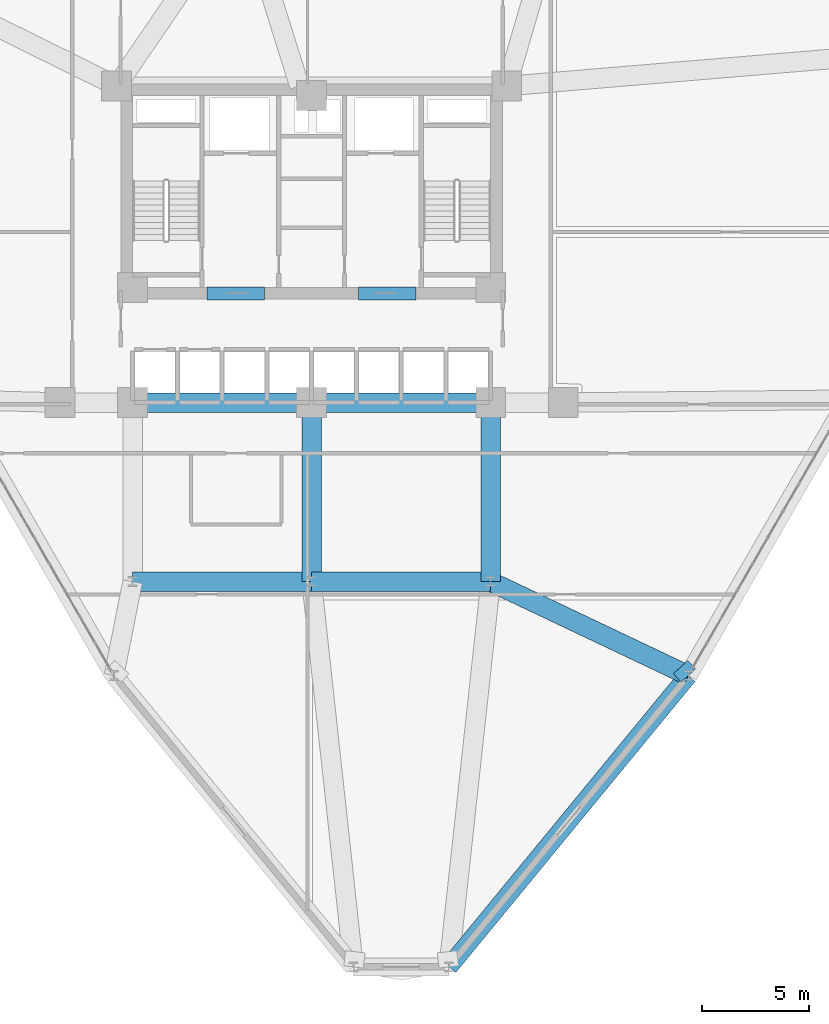
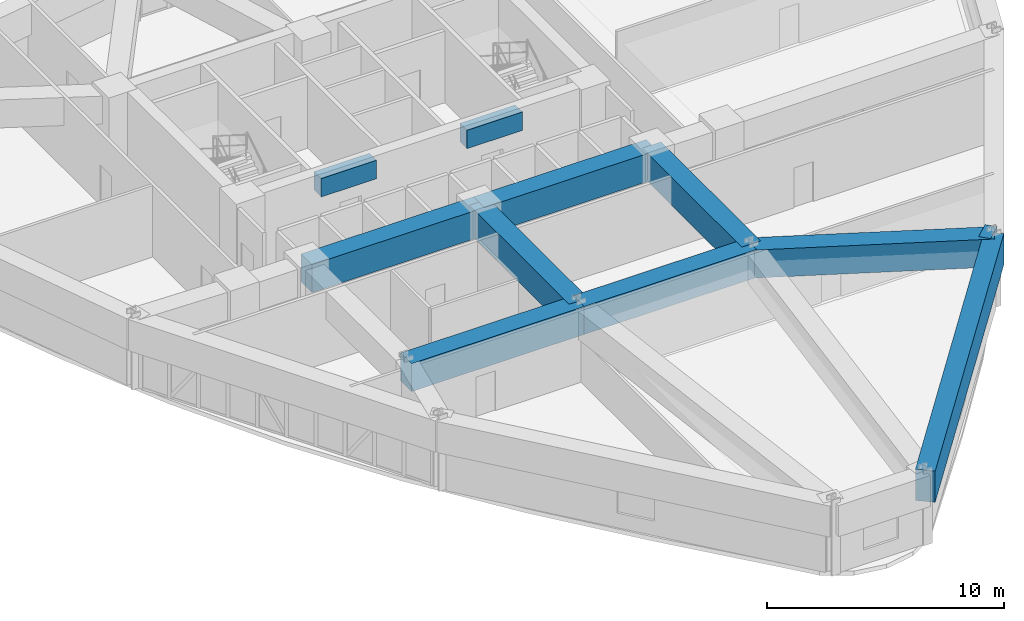
# One storey, part 5 of 17: 11 beams.
"""IFC4 building model written with IfcOpenShell, lengths in metres."""

from ifc_helpers import new_model, si_unit, derived_unit, direction, frame, origin, origin_2d, place, context, subcontext, project, spatial, rectangle, extrude, source, transform, mapped, material, material_profile, profile_set, type_object, element, save


model = new_model("IFC4")

# Units and contexts
model_context = context("Model", 3, precision=1e-05, world=origin(), true_north=direction((0.0, 1.0)))
body_context = subcontext(model_context, "Body", "Model", "MODEL_VIEW")
ifc_project = project(units=[si_unit("LENGTHUNIT", "METRE"), si_unit("AREAUNIT", "SQUARE_METRE"), si_unit("VOLUMEUNIT", "CUBIC_METRE"), si_unit("PLANEANGLEUNIT", "RADIAN"), si_unit("MASSUNIT", "GRAM", prefix="KILO"), derived_unit("THERMALTRANSMITTANCEUNIT", [(si_unit("POWERUNIT", "WATT"), 1), (si_unit("LENGTHUNIT", "METRE"), -2), (si_unit("THERMODYNAMICTEMPERATUREUNIT", "KELVIN"), -1)])], contexts=[model_context])

# Site, building, storey
site_placement = place(None, origin())
site = spatial("IfcSite", under=ifc_project, at=site_placement, CompositionType="ELEMENT")
building_placement = place(site_placement, origin())
building = spatial("IfcBuilding", under=site, at=building_placement, Name="Korsvarv Bourse and Concert Hall", CompositionType="ELEMENT")
storey_placement = place(building_placement, frame((0.0, 0.0, 83.39990234375)))
storey = spatial("IfcBuildingStorey", under=building, at=storey_placement, Name="L20", CompositionType="ELEMENT", Elevation=83.39990234375)

# Beams
ifc_material_1 = material(Name="Concrete C55/67", Category="concrete")
ifc_material_profile_1 = material_profile(ifc_material_1, rectangle(XDim=0.60009765625, YDim=0.949951171875, at=origin_2d()), Name="RC-BM 600x950")
ifc_profile_set_1 = profile_set([ifc_material_profile_1], Name="Concrete C55/67")
beam_type_1 = type_object("IfcBeamType", Name="BM-CPL", PredefinedType="LINTEL", material=ifc_profile_set_1)
shared_shape_1 = source(origin(), body_context, "Body", "SweptSolid", [
    extrude(rectangle(XDim=0.60009765625, YDim=0.949951171875, at=origin_2d()), origin(), (0.0, 0.0, 1.0), 2.699951171875),
])
for number, where, z_axis, x_axis, name in (
    (1, (31.10009765625, 37.52490234375, 3.205078125), (1.0, 0.0, 0.0), (0.0, 1.0, 0.0), "L20 Core Coupling Beam West"),
    (2, (38.199951171875, 37.52490234375, 3.205078125), (1.0, 0.0, 0.0), (0.0, 1.0, 0.0), "L20 Core Coupling Beam East"),
):
    element("IfcBeam", number, at=place(storey_placement, frame(where, z_axis=z_axis, x_axis=x_axis)), inside=storey, type_object=beam_type_1, Name=name, PredefinedType="LINTEL", context=body_context, shape_type="MappedRepresentation", body=[
        mapped(shared_shape_1, transform((0.0, 0.0, 0.0), scale=1.0)),
    ])
ifc_material_2 = material(Name="Concrete C50/60", Category="concrete")
ifc_material_profile_2 = material_profile(ifc_material_2, rectangle(XDim=0.919921875, YDim=1.43994140625, at=origin_2d()), Name="RC-BM 920x1440")
ifc_profile_set_2 = profile_set([ifc_material_profile_2], Name="Concrete C50/60")
beam_type_2 = type_object("IfcBeamType", Name="BM-TR-144", PredefinedType="BEAM", material=ifc_profile_set_2)
shared_shape_2 = source(origin(), body_context, "Body", "SweptSolid", [
    extrude(rectangle(XDim=0.919921875, YDim=1.43994140625, at=origin_2d()), origin(), (0.0, 0.0, 1.0), 8.39990234375),
])
for number, where, z_axis, x_axis, name in (
    (3, (27.60009765625, 32.39990234375, 2.960205078125), (1.0, 0.0, 0.0), (0.0, 1.0, 0.0), "L20 beam B-TR4"),
    (4, (36.0, 32.39990234375, 2.960205078125), (1.0, 0.0, 0.0), (0.0, 1.0, 0.0), "L20 beam B-TR4"),
    (5, (27.60009765625, 24.0, 2.960205078125), (1.0, 0.0, 0.0), (0.0, 1.0, 0.0), "L20 beam B-TR4"),
    (6, (36.0, 24.0, 2.960205078125), (1.0, 0.0, 0.0), (0.0, 1.0, 0.0), "L20 beam B-TR4"),
    (7, (36.0, 24.0, 2.960205078125), (0.0, 1.0, 0.0), (-1.0, 0.0, 0.0), "L20 beam B-TR4"),
    (8, (44.39990234375, 24.0, 2.960205078125), (0.0, 1.0, 0.0), (-1.0, 0.0, 0.0), "L20 beam B-TR4"),
):
    element("IfcBeam", number, at=place(storey_placement, frame(where, z_axis=z_axis, x_axis=x_axis)), inside=storey, type_object=beam_type_2, Name=name, PredefinedType="BEAM", context=body_context, shape_type="MappedRepresentation", body=[
        mapped(shared_shape_2, transform((0.0, 0.0, 0.0), scale=1.0)),
    ])
ifc_material_profile_3 = material_profile(ifc_material_1, rectangle(XDim=0.85009765625, YDim=1.60009765625, at=origin_2d()), Name="RC-BM 850x1600")
ifc_profile_set_3 = profile_set([ifc_material_profile_3], Name="Concrete C55/67")
beam_type_3 = type_object("IfcBeamType", Name="BM-TR1B", PredefinedType="BEAM", material=ifc_profile_set_3)
shared_shape_3 = source(origin(), body_context, "Body", "SweptSolid", [
    extrude(rectangle(XDim=0.85009765625, YDim=1.60009765625, at=origin_2d()), origin(), (0.0, 0.0, 1.0), 17.697998046875),
])
beam_1_placement = place(storey_placement, frame((42.43408203125, 5.92578125, 2.880126953125), z_axis=(0.634964737332, 0.772541120165, 0.0), x_axis=(-0.772541120165, 0.634964737332, 0.0)))
element("IfcBeam", 9, at=beam_1_placement, inside=storey, type_object=beam_type_3, Name="L20 beam B-TR2", PredefinedType="BEAM", context=body_context, shape_type="MappedRepresentation", body=[
    mapped(shared_shape_3, transform((0.0, 0.0, 0.0), scale=1.0)),
])
shared_shape_4 = source(origin(), body_context, "Body", "SweptSolid", [
    extrude(rectangle(XDim=0.919921875, YDim=1.43994140625, at=origin_2d()), origin(), (0.0, 0.0, 1.0), 10.263671875),
])
beam_2_placement = place(storey_placement, frame((53.671630859375, 19.59814453125, 2.960205078125), z_axis=(-0.903361148247, 0.428880677855, 0.0), x_axis=(-0.428880677855, -0.903361148247, 0.0)))
element("IfcBeam", 10, at=beam_2_placement, inside=storey, type_object=beam_type_2, Name="L20 beam B-TR4", PredefinedType="BEAM", context=body_context, shape_type="MappedRepresentation", body=[
    mapped(shared_shape_4, transform((0.0, 0.0, 0.0), scale=1.0)),
])
shared_shape_5 = source(origin(), body_context, "Body", "SweptSolid", [
    extrude(rectangle(XDim=0.919921875, YDim=1.43994140625, at=origin_2d()), origin(), (0.0, 0.0, 1.0), 0.5341796875),
])
beam_3_placement = place(storey_placement, frame((53.671630859375, 19.59814453125, 2.960205078125), z_axis=(-0.677254507549, 0.735748823991, 0.0), x_axis=(-0.735748823991, -0.677254507549, 0.0)))
element("IfcBeam", 11, at=beam_3_placement, inside=storey, type_object=beam_type_2, Name="L20 beam B-TR4", PredefinedType="BEAM", context=body_context, shape_type="MappedRepresentation", body=[
    mapped(shared_shape_5, transform((0.0, 0.0, 0.0), scale=1.0)),
])

save(model, "model.ifc")
